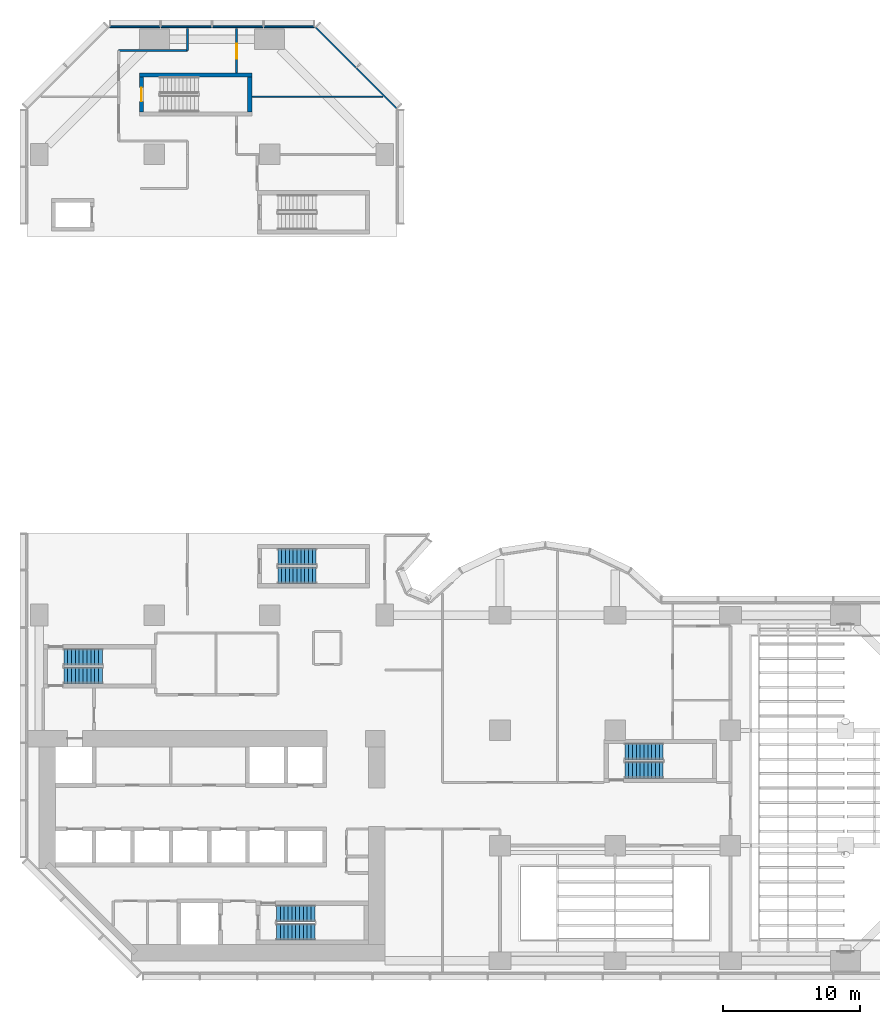
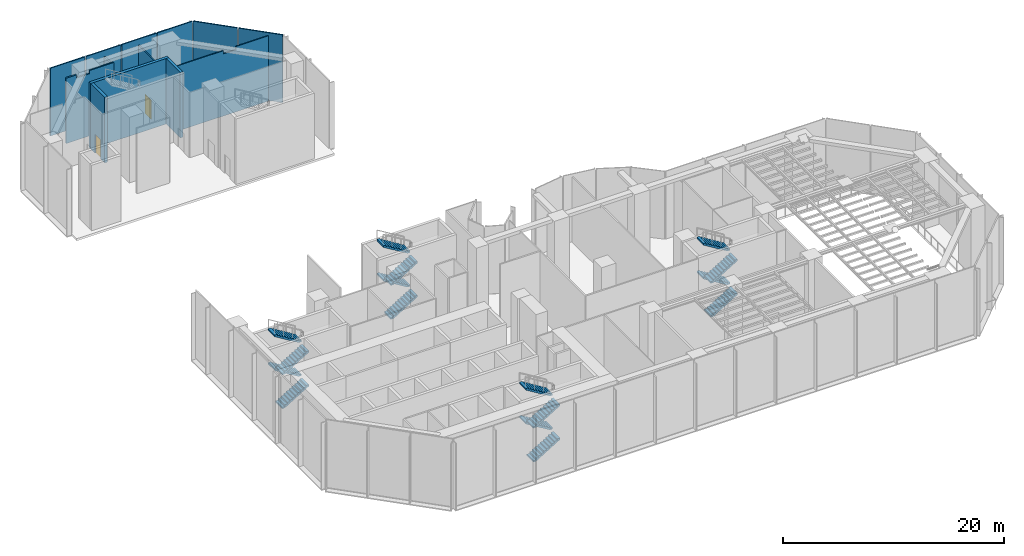
# One storey, part 17 of 22: 16 stair flights, 13 walls, 2 doors, 2 openings, 4 elements without a shape of their own.
"""IFC4 building model written with IfcOpenShell, lengths in metres."""

from ifc_helpers import new_model, si_unit, direction, frame, frame_2d, origin, place, context, subcontext, project, spatial, polyline, rectangle, outline, extrude, material, layer, layer_set, type_object, element, fill, aggregate, save


model = new_model("IFC4")

# Units and contexts
model_context = context("Model", 3, precision=1e-05, world=origin(), true_north=direction((0.0, 1.0)))
body_context = subcontext(model_context, "Body", "Model", "MODEL_VIEW")
ifc_project = project(units=[si_unit("LENGTHUNIT", "METRE"), si_unit("AREAUNIT", "SQUARE_METRE"), si_unit("VOLUMEUNIT", "CUBIC_METRE"), si_unit("PLANEANGLEUNIT", "RADIAN"), si_unit("MASSUNIT", "GRAM", prefix="KILO")], contexts=[model_context])

# Site, building, storey
site_placement = place(None, origin())
site = spatial("IfcSite", under=ifc_project, at=site_placement, CompositionType="ELEMENT")
building_placement = place(site_placement, origin())
building = spatial("IfcBuilding", under=site, at=building_placement, Name="Brevane Broadcast Tower", CompositionType="ELEMENT")
storey_placement = place(building_placement, frame((0.0, 0.0, 20.0)))
storey = spatial("IfcBuildingStorey", under=building, at=storey_placement, Name="L03", CompositionType="ELEMENT", Elevation=20.0)

# Wall
ifc_material_1 = material(Name="Concrete C80/95", Category="concrete")
ifc_layer_1 = layer(ifc_material_1, 0.300048828125)
ifc_layer_set_1 = layer_set([ifc_layer_1], Name="Core wall 300 mm C80/95")
wall_type_1 = type_object("IfcWallType", Name="Core wall 300 mm C80/95", PredefinedType="SHEAR", material=ifc_layer_set_1)
wall_1_placement = place(storey_placement, frame((7.300048828125, 64.60009765625, 0.0), z_axis=(0.0, 0.0, 1.0), x_axis=(1.0, 0.0, 0.0)))
element("IfcWall", 1, at=wall_1_placement, inside=storey, type_object=wall_type_1, Name="L03 stair wall ST-6-N", PredefinedType="SHEAR", context=body_context, shape_type="SweptSolid", body=[
    extrude(rectangle(XDim=8.199951171875, YDim=0.300048828125, at=frame_2d((4.10009765625, 0.0))), origin(), (0.0, 0.0, 1.0), 7.25),
])

# Wall, opening, door
wall_2_placement = place(storey_placement, frame((7.449951171875, 61.89990234375, 0.0), z_axis=(0.0, 0.0, 1.0), x_axis=(0.0, 1.0, 0.0)))
wall_2 = element("IfcWall", 2, at=wall_2_placement, inside=storey, type_object=wall_type_1, Name="L03 stair wall ST-6-W", PredefinedType="SHEAR", context=body_context, shape_type="SweptSolid", body=[
    extrude(rectangle(XDim=2.550048828125, YDim=0.300048828125, at=frame_2d((1.27490234375, 0.0))), origin(), (0.0, 0.0, 1.0), 7.25),
])
opening_1_placement = place(wall_2_placement, frame((0.77490234375, 0.0, 0.0)))
opening_1 = element("IfcOpeningElement", 3, at=opening_1_placement, cuts=wall_2, Name="Opening L03-K18", PredefinedType="OPENING", context=body_context, shape_type="SweptSolid", body=[
    extrude(rectangle(XDim=1.0, YDim=2.10009765625, at=frame_2d((0.5, 1.050048828125))), frame((0.0, 0.159912109375, 0.0), z_axis=(0.0, -1.0, 0.0), x_axis=(1.0, 0.0, 0.0)), (0.0, 0.0, 1.0), 0.320068359375),
])
ifc_material_2 = material(Name="Steel", Category="steel")
door_type_1 = type_object("IfcDoorType", Name="Stair door 1000 x 2100", OperationType="SINGLE_SWING_LEFT", PredefinedType="DOOR", material=ifc_material_2)
door_1_placement = place(opening_1_placement, origin())
door_1 = element("IfcDoor", 4, at=door_1_placement, inside=storey, type_object=door_type_1, Name="Door L03-K18", OperationType="SINGLE_SWING_LEFT", OverallHeight=2.10009765625, OverallWidth=1.0, PredefinedType="DOOR", context=body_context, shape_type="SweptSolid", body=[
    extrude(rectangle(XDim=1.0, YDim=2.10009765625, at=frame_2d((0.5, 1.050048828125))), frame((0.0, 0.02490234375, 0.0), z_axis=(0.0, -1.0, 0.0), x_axis=(1.0, 0.0, 0.0)), (0.0, 0.0, 1.0), 0.050048828125),
])
fill(opening_1, door_1)

# Walls
wall_3_placement = place(storey_placement, frame((15.35009765625, 61.89990234375, 0.0), z_axis=(0.0, 0.0, 1.0), x_axis=(0.0, 1.0, 0.0)))
element("IfcWall", 5, at=wall_3_placement, inside=storey, type_object=wall_type_1, Name="L03 stair wall ST-6-E", PredefinedType="SHEAR", context=body_context, shape_type="SweptSolid", body=[
    extrude(rectangle(XDim=2.550048828125, YDim=0.300048828125, at=frame_2d((1.27490234375, 0.0))), origin(), (0.0, 0.0, 1.0), 7.25),
])
ifc_material_3 = material(Name="Gypsum board partition")
ifc_layer_2 = layer(ifc_material_3, 0.10009765625)
ifc_layer_set_2 = layer_set([ifc_layer_2], Name="PARTITION 100 STUD")
wall_type_2 = type_object("IfcWallType", Name="PARTITION 100 STUD", PredefinedType="PARTITIONING", material=ifc_layer_set_2)
wall_4_placement = place(storey_placement, frame((15.5, 63.0, 0.0), z_axis=(0.0, 0.0, 1.0), x_axis=(1.0, 0.0, 0.0)))
element("IfcWall", 6, at=wall_4_placement, inside=storey, type_object=wall_type_2, Name="Partition P3-042", PredefinedType="PARTITIONING", context=body_context, shape_type="SweptSolid", body=[
    extrude(outline(polyline([(0.0, 0.0), (9.5556640625, 0.0), (9.5556640625, 7.22998046875), (6.165771484375, 7.22998046875), (6.16357421875, 6.8798828125), (4.83642578125, 6.8798828125), (4.834228515625, 7.22998046875), (0.0, 7.22998046875), (0.0, 0.0)])), frame((0.0, 0.050048828125, 0.0), z_axis=(0.0, -1.0, 0.0), x_axis=(1.0, 0.0, 0.0)), (0.0, 0.0, 1.0), 0.10009765625),
])
ifc_layer_3 = layer(ifc_material_3, 0.14990234375)
ifc_layer_set_3 = layer_set([ifc_layer_3], Name="PARTITION 150 EI 60")
wall_type_3 = type_object("IfcWallType", Name="PARTITION 150 EI 60", PredefinedType="PARTITIONING", material=ifc_layer_set_3)
wall_5_placement = place(storey_placement, frame((5.800048828125, 66.375, 0.0), z_axis=(0.0, 0.0, 1.0), x_axis=(1.0, 0.0, 0.0)))
element("IfcWall", 7, at=wall_5_placement, inside=storey, type_object=wall_type_3, Name="Partition P3-034", PredefinedType="PARTITIONING", context=body_context, shape_type="SweptSolid", body=[
    extrude(outline(polyline([(0.0, 0.0), (5.0, 0.0), (5.0, 7.22998046875), (2.465576171875, 7.22998046875), (2.463623046875, 6.8798828125), (1.08642578125, 6.8798828125), (1.084228515625, 7.22998046875), (0.0, 7.22998046875), (0.0, 0.0)])), frame((0.0, 0.074951171875, 0.0), z_axis=(0.0, -1.0, 0.0), x_axis=(1.0, 0.0, 0.0)), (0.0, 0.0, 1.0), 0.14990234375),
])
wall_6_placement = place(storey_placement, frame((10.800048828125, 66.375, 0.0), z_axis=(0.0, 0.0, 1.0), x_axis=(0.0, 1.0, 0.0)))
element("IfcWall", 8, at=wall_6_placement, inside=storey, type_object=wall_type_3, Name="Partition P3-036", PredefinedType="PARTITIONING", context=body_context, shape_type="SweptSolid", body=[
    extrude(rectangle(XDim=1.597900390625, YDim=0.14990234375, at=frame_2d((0.798828125, 0.0))), origin(), (0.0, 0.0, 1.0), 6.8798828125),
])

# Wall, opening, door
wall_7_placement = place(storey_placement, frame((14.39990234375, 67.972900390625, 0.0), z_axis=(0.0, 0.0, 1.0), x_axis=(0.0, -1.0, 0.0)))
wall_7 = element("IfcWall", 9, at=wall_7_placement, inside=storey, type_object=wall_type_3, Name="Partition P3-037", PredefinedType="PARTITIONING", context=body_context, shape_type="SweptSolid", body=[
    extrude(rectangle(XDim=3.222900390625, YDim=0.14990234375, at=frame_2d((1.611328125, 0.0))), origin(), (0.0, 0.0, 1.0), 6.8798828125),
])
opening_2_placement = place(wall_7_placement, frame((1.093017578125, 0.0, 0.0)))
opening_2 = element("IfcOpeningElement", 10, at=opening_2_placement, cuts=wall_7, Name="Opening D04-016", PredefinedType="OPENING", context=body_context, shape_type="SweptSolid", body=[
    extrude(rectangle(XDim=1.10009765625, YDim=2.10009765625, at=frame_2d((0.550048828125, 1.050048828125))), frame((0.0, 0.0849609375, 0.0), z_axis=(0.0, -1.0, 0.0), x_axis=(1.0, 0.0, 0.0)), (0.0, 0.0, 1.0), 0.169921875),
])
ifc_material_4 = material(Name="Fire-rated timber door leaf", Category="wood")
door_type_2 = type_object("IfcDoorType", Name="DOOR SINGLE 1100 FD30S", OperationType="SINGLE_SWING_LEFT", PredefinedType="DOOR", material=ifc_material_4)
door_2_placement = place(opening_2_placement, origin())
door_2 = element("IfcDoor", 11, at=door_2_placement, inside=storey, type_object=door_type_2, Name="Door D04-016", OperationType="SINGLE_SWING_LEFT", OverallHeight=2.10009765625, OverallWidth=1.10009765625, PredefinedType="DOOR", context=body_context, shape_type="SweptSolid", body=[
    extrude(rectangle(XDim=1.10009765625, YDim=2.10009765625, at=frame_2d((0.550048828125, 1.050048828125))), frame((0.0, 0.02490234375, 0.0), z_axis=(0.0, -1.0, 0.0), x_axis=(1.0, 0.0, 0.0)), (0.0, 0.0, 1.0), 0.050048828125),
])
fill(opening_2, door_2)

# Walls
ifc_material_5 = material(Name="Precast concrete C40/50", Category="concrete")
ifc_layer_4 = layer(ifc_material_5, 0.1201171875)
ifc_layer_set_4 = layer_set([ifc_layer_4], Name="Podium precast cladding wall 120 C40/50")
wall_type_4 = type_object("IfcWallType", Name="Podium precast cladding wall 120 C40/50", PredefinedType="SOLIDWALL", material=ifc_layer_set_4)
wall_8_placement = place(storey_placement, origin())
element("IfcWall", 12, at=wall_8_placement, inside=storey, type_object=wall_type_4, Name="Podium precast cladding wall", PredefinedType="SOLIDWALL", context=body_context, shape_type="SweptSolid", body=[
    extrude(outline(polyline([(26.03271484375, 62.096435546875), (23.096435546875, 65.03271484375), (23.181396484375, 65.11767578125), (26.11767578125, 62.181396484375), (26.03271484375, 62.096435546875)])), origin(), (0.0, 0.0, 1.0), 7.5),
])
wall_9_placement = place(storey_placement, origin())
element("IfcWall", 13, at=wall_9_placement, inside=storey, type_object=wall_type_4, Name="Podium precast cladding wall", PredefinedType="SOLIDWALL", context=body_context, shape_type="SweptSolid", body=[
    extrude(outline(polyline([(23.03271484375, 65.096435546875), (20.096435546875, 68.03271484375), (20.181396484375, 68.11767578125), (23.11767578125, 65.181396484375), (23.03271484375, 65.096435546875)])), origin(), (0.0, 0.0, 1.0), 7.5),
])
wall_10_placement = place(storey_placement, origin())
element("IfcWall", 14, at=wall_10_placement, inside=storey, type_object=wall_type_4, Name="Podium precast cladding wall", PredefinedType="SOLIDWALL", context=body_context, shape_type="SweptSolid", body=[
    extrude(outline(polyline([(16.39501953125, 68.169921875), (16.39501953125, 68.050048828125), (20.054931640625, 68.050048828125), (20.054931640625, 68.169921875), (16.39501953125, 68.169921875)])), origin(), (0.0, 0.0, 1.0), 7.5),
])
wall_11_placement = place(storey_placement, origin())
element("IfcWall", 15, at=wall_11_placement, inside=storey, type_object=wall_type_4, Name="Podium precast cladding wall", PredefinedType="SOLIDWALL", context=body_context, shape_type="SweptSolid", body=[
    extrude(outline(polyline([(12.64501953125, 68.169921875), (12.64501953125, 68.050048828125), (16.304931640625, 68.050048828125), (16.304931640625, 68.169921875), (12.64501953125, 68.169921875)])), origin(), (0.0, 0.0, 1.0), 7.5),
])
wall_12_placement = place(storey_placement, origin())
element("IfcWall", 16, at=wall_12_placement, inside=storey, type_object=wall_type_4, Name="Podium precast cladding wall", PredefinedType="SOLIDWALL", context=body_context, shape_type="SweptSolid", body=[
    extrude(outline(polyline([(8.89501953125, 68.169921875), (8.89501953125, 68.050048828125), (12.554931640625, 68.050048828125), (12.554931640625, 68.169921875), (8.89501953125, 68.169921875)])), origin(), (0.0, 0.0, 1.0), 7.5),
])
wall_13_placement = place(storey_placement, origin())
element("IfcWall", 17, at=wall_13_placement, inside=storey, type_object=wall_type_4, Name="Podium precast cladding wall", PredefinedType="SOLIDWALL", context=body_context, shape_type="SweptSolid", body=[
    extrude(outline(polyline([(5.14501953125, 68.169921875), (5.14501953125, 68.050048828125), (8.804931640625, 68.050048828125), (8.804931640625, 68.169921875), (5.14501953125, 68.169921875)])), origin(), (0.0, 0.0, 1.0), 7.5),
])

# Stair, stair flights
ifc_material_6 = material(Name="Concrete C50/60", Category="concrete")
stair_type = type_object("IfcStairType", Name="Exit stair 44 risers", PredefinedType="HALF_TURN_STAIR", material=ifc_material_6)
stair_1_placement = place(storey_placement, origin())
stair_1 = element("IfcStair", 18, at=stair_1_placement, inside=storey, type_object=stair_type, Name="L03 Exit stair ST-1", PredefinedType="HALF_TURN_STAIR")
stair_flight_type = type_object("IfcStairFlightType", Name="Exit stair flight 44 risers", PredefinedType="STRAIGHT", material=ifc_material_6)
stair_flight_1_placement = place(storey_placement, frame((1.800048828125, 20.800048828125, 0.0), z_axis=(0.0, 0.0, 1.0), x_axis=(1.0, 0.0, 0.0)))
stair_flight_1 = element("IfcStairFlight", 19, at=stair_flight_1_placement, type_object=stair_flight_type, Name="ST-1 flight 1", NumberOfRisers=11, NumberOfTreads=10, PredefinedType="STRAIGHT", RiserHeight=0.170454545, TreadLength=0.28, context=body_context, shape_type="SweptSolid", body=[
    extrude(outline(polyline([(0.0, 0.0), (0.0, 0.17041015625), (0.280029296875, 0.17041015625), (0.280029296875, 0.3408203125), (0.56005859375, 0.3408203125), (0.56005859375, 0.511474609375), (0.840087890625, 0.511474609375), (0.840087890625, 0.681884765625), (1.1201171875, 0.681884765625), (1.1201171875, 0.852294921875), (1.39990234375, 0.852294921875), (1.39990234375, 1.022705078125), (1.679931640625, 1.022705078125), (1.679931640625, 1.193115234375), (1.9599609375, 1.193115234375), (1.9599609375, 1.363525390625), (2.239990234375, 1.363525390625), (2.239990234375, 1.5341796875), (2.52001953125, 1.5341796875), (2.52001953125, 1.70458984375), (2.800048828125, 1.70458984375), (2.800048828125, 1.875), (2.800048828125, 1.529052734375), (0.288330078125, 0.0), (0.0, 0.0)])), frame((0.0, 0.60009765625, 0.0), z_axis=(0.0, -1.0, 0.0), x_axis=(1.0, 0.0, 0.0)), (0.0, 0.0, 1.0), 1.199951171875),
])
stair_flight_2_placement = place(storey_placement, frame((4.60009765625, 22.14990234375, 1.875), z_axis=(0.0, 0.0, 1.0), x_axis=(-1.0, 0.0, 0.0)))
stair_flight_2 = element("IfcStairFlight", 20, at=stair_flight_2_placement, type_object=stair_flight_type, Name="ST-1 flight 2", NumberOfRisers=11, NumberOfTreads=10, PredefinedType="STRAIGHT", RiserHeight=0.170454545, TreadLength=0.28, context=body_context, shape_type="SweptSolid", body=[
    extrude(outline(polyline([(0.0, 0.0), (0.0, 0.17041015625), (0.280029296875, 0.17041015625), (0.280029296875, 0.3408203125), (0.56005859375, 0.3408203125), (0.56005859375, 0.511474609375), (0.840087890625, 0.511474609375), (0.840087890625, 0.681884765625), (1.1201171875, 0.681884765625), (1.1201171875, 0.852294921875), (1.39990234375, 0.852294921875), (1.39990234375, 1.022705078125), (1.679931640625, 1.022705078125), (1.679931640625, 1.193115234375), (1.9599609375, 1.193115234375), (1.9599609375, 1.363525390625), (2.239990234375, 1.363525390625), (2.239990234375, 1.5341796875), (2.52001953125, 1.5341796875), (2.52001953125, 1.70458984375), (2.800048828125, 1.70458984375), (2.800048828125, 1.875), (2.800048828125, 1.529052734375), (0.288330078125, 0.0), (0.0, 0.0)])), frame((0.0, 0.60009765625, 0.0), z_axis=(0.0, -1.0, 0.0), x_axis=(1.0, 0.0, 0.0)), (0.0, 0.0, 1.0), 1.199951171875),
])
stair_flight_3_placement = place(storey_placement, frame((1.800048828125, 20.800048828125, 3.75), z_axis=(0.0, 0.0, 1.0), x_axis=(1.0, 0.0, 0.0)))
stair_flight_3 = element("IfcStairFlight", 21, at=stair_flight_3_placement, type_object=stair_flight_type, Name="ST-1 flight 3", NumberOfRisers=11, NumberOfTreads=10, PredefinedType="STRAIGHT", RiserHeight=0.170454545, TreadLength=0.28, context=body_context, shape_type="SweptSolid", body=[
    extrude(outline(polyline([(0.0, 0.0), (0.0, 0.17041015625), (0.280029296875, 0.17041015625), (0.280029296875, 0.3408203125), (0.56005859375, 0.3408203125), (0.56005859375, 0.511474609375), (0.840087890625, 0.511474609375), (0.840087890625, 0.681884765625), (1.1201171875, 0.681884765625), (1.1201171875, 0.852294921875), (1.39990234375, 0.852294921875), (1.39990234375, 1.022705078125), (1.679931640625, 1.022705078125), (1.679931640625, 1.193115234375), (1.9599609375, 1.193115234375), (1.9599609375, 1.363525390625), (2.239990234375, 1.363525390625), (2.239990234375, 1.5341796875), (2.52001953125, 1.5341796875), (2.52001953125, 1.70458984375), (2.800048828125, 1.70458984375), (2.800048828125, 1.875), (2.800048828125, 1.529052734375), (0.288330078125, 0.0), (0.0, 0.0)])), frame((0.0, 0.60009765625, 0.0), z_axis=(0.0, -1.0, 0.0), x_axis=(1.0, 0.0, 0.0)), (0.0, 0.0, 1.0), 1.199951171875),
])
stair_flight_4_placement = place(storey_placement, frame((4.60009765625, 22.14990234375, 5.625), z_axis=(0.0, 0.0, 1.0), x_axis=(-1.0, 0.0, 0.0)))
stair_flight_4 = element("IfcStairFlight", 22, at=stair_flight_4_placement, type_object=stair_flight_type, Name="ST-1 flight 4", NumberOfRisers=11, NumberOfTreads=10, PredefinedType="STRAIGHT", RiserHeight=0.170454545, TreadLength=0.28, context=body_context, shape_type="SweptSolid", body=[
    extrude(outline(polyline([(0.0, 0.0), (0.0, 0.17041015625), (0.280029296875, 0.17041015625), (0.280029296875, 0.3408203125), (0.56005859375, 0.3408203125), (0.56005859375, 0.511474609375), (0.840087890625, 0.511474609375), (0.840087890625, 0.681884765625), (1.1201171875, 0.681884765625), (1.1201171875, 0.852294921875), (1.39990234375, 0.852294921875), (1.39990234375, 1.022705078125), (1.679931640625, 1.022705078125), (1.679931640625, 1.193115234375), (1.9599609375, 1.193115234375), (1.9599609375, 1.363525390625), (2.239990234375, 1.363525390625), (2.239990234375, 1.5341796875), (2.52001953125, 1.5341796875), (2.52001953125, 1.70458984375), (2.800048828125, 1.70458984375), (2.800048828125, 1.875), (2.800048828125, 1.529052734375), (0.288330078125, 0.0), (0.0, 0.0)])), frame((0.0, 0.60009765625, 0.0), z_axis=(0.0, -1.0, 0.0), x_axis=(1.0, 0.0, 0.0)), (0.0, 0.0, 1.0), 1.199951171875),
])
aggregate(stair_1, [stair_flight_1, stair_flight_2, stair_flight_3, stair_flight_4])

stair_2_placement = place(storey_placement, origin())
stair_2 = element("IfcStair", 23, at=stair_2_placement, inside=storey, type_object=stair_type, Name="L03 Exit stair ST-2", PredefinedType="HALF_TURN_STAIR")
stair_flight_5_placement = place(storey_placement, frame((17.300048828125, 2.10009765625, 0.0), z_axis=(0.0, 0.0, 1.0), x_axis=(1.0, 0.0, 0.0)))
stair_flight_5 = element("IfcStairFlight", 24, at=stair_flight_5_placement, type_object=stair_flight_type, Name="ST-2 flight 1", NumberOfRisers=11, NumberOfTreads=10, PredefinedType="STRAIGHT", RiserHeight=0.170454545, TreadLength=0.28, context=body_context, shape_type="SweptSolid", body=[
    extrude(outline(polyline([(0.0, 0.0), (0.0, 0.17041015625), (0.280029296875, 0.17041015625), (0.280029296875, 0.3408203125), (0.56005859375, 0.3408203125), (0.56005859375, 0.511474609375), (0.840087890625, 0.511474609375), (0.840087890625, 0.681884765625), (1.1201171875, 0.681884765625), (1.1201171875, 0.852294921875), (1.39990234375, 0.852294921875), (1.39990234375, 1.022705078125), (1.679931640625, 1.022705078125), (1.679931640625, 1.193115234375), (1.9599609375, 1.193115234375), (1.9599609375, 1.363525390625), (2.239990234375, 1.363525390625), (2.239990234375, 1.5341796875), (2.52001953125, 1.5341796875), (2.52001953125, 1.70458984375), (2.800048828125, 1.70458984375), (2.800048828125, 1.875), (2.800048828125, 1.529052734375), (0.288330078125, 0.0), (0.0, 0.0)])), frame((0.0, 0.60009765625, 0.0), z_axis=(0.0, -1.0, 0.0), x_axis=(1.0, 0.0, 0.0)), (0.0, 0.0, 1.0), 1.199951171875),
])
stair_flight_6_placement = place(storey_placement, frame((20.10009765625, 3.449951171875, 1.875), z_axis=(0.0, 0.0, 1.0), x_axis=(-1.0, 0.0, 0.0)))
stair_flight_6 = element("IfcStairFlight", 25, at=stair_flight_6_placement, type_object=stair_flight_type, Name="ST-2 flight 2", NumberOfRisers=11, NumberOfTreads=10, PredefinedType="STRAIGHT", RiserHeight=0.170454545, TreadLength=0.28, context=body_context, shape_type="SweptSolid", body=[
    extrude(outline(polyline([(0.0, 0.0), (0.0, 0.17041015625), (0.280029296875, 0.17041015625), (0.280029296875, 0.3408203125), (0.56005859375, 0.3408203125), (0.56005859375, 0.511474609375), (0.840087890625, 0.511474609375), (0.840087890625, 0.681884765625), (1.1201171875, 0.681884765625), (1.1201171875, 0.852294921875), (1.39990234375, 0.852294921875), (1.39990234375, 1.022705078125), (1.679931640625, 1.022705078125), (1.679931640625, 1.193115234375), (1.9599609375, 1.193115234375), (1.9599609375, 1.363525390625), (2.239990234375, 1.363525390625), (2.239990234375, 1.5341796875), (2.52001953125, 1.5341796875), (2.52001953125, 1.70458984375), (2.800048828125, 1.70458984375), (2.800048828125, 1.875), (2.800048828125, 1.529052734375), (0.288330078125, 0.0), (0.0, 0.0)])), frame((0.0, 0.60009765625, 0.0), z_axis=(0.0, -1.0, 0.0), x_axis=(1.0, 0.0, 0.0)), (0.0, 0.0, 1.0), 1.199951171875),
])
stair_flight_7_placement = place(storey_placement, frame((17.300048828125, 2.10009765625, 3.75), z_axis=(0.0, 0.0, 1.0), x_axis=(1.0, 0.0, 0.0)))
stair_flight_7 = element("IfcStairFlight", 26, at=stair_flight_7_placement, type_object=stair_flight_type, Name="ST-2 flight 3", NumberOfRisers=11, NumberOfTreads=10, PredefinedType="STRAIGHT", RiserHeight=0.170454545, TreadLength=0.28, context=body_context, shape_type="SweptSolid", body=[
    extrude(outline(polyline([(0.0, 0.0), (0.0, 0.17041015625), (0.280029296875, 0.17041015625), (0.280029296875, 0.3408203125), (0.56005859375, 0.3408203125), (0.56005859375, 0.511474609375), (0.840087890625, 0.511474609375), (0.840087890625, 0.681884765625), (1.1201171875, 0.681884765625), (1.1201171875, 0.852294921875), (1.39990234375, 0.852294921875), (1.39990234375, 1.022705078125), (1.679931640625, 1.022705078125), (1.679931640625, 1.193115234375), (1.9599609375, 1.193115234375), (1.9599609375, 1.363525390625), (2.239990234375, 1.363525390625), (2.239990234375, 1.5341796875), (2.52001953125, 1.5341796875), (2.52001953125, 1.70458984375), (2.800048828125, 1.70458984375), (2.800048828125, 1.875), (2.800048828125, 1.529052734375), (0.288330078125, 0.0), (0.0, 0.0)])), frame((0.0, 0.60009765625, 0.0), z_axis=(0.0, -1.0, 0.0), x_axis=(1.0, 0.0, 0.0)), (0.0, 0.0, 1.0), 1.199951171875),
])
stair_flight_8_placement = place(storey_placement, frame((20.10009765625, 3.449951171875, 5.625), z_axis=(0.0, 0.0, 1.0), x_axis=(-1.0, 0.0, 0.0)))
stair_flight_8 = element("IfcStairFlight", 27, at=stair_flight_8_placement, type_object=stair_flight_type, Name="ST-2 flight 4", NumberOfRisers=11, NumberOfTreads=10, PredefinedType="STRAIGHT", RiserHeight=0.170454545, TreadLength=0.28, context=body_context, shape_type="SweptSolid", body=[
    extrude(outline(polyline([(0.0, 0.0), (0.0, 0.17041015625), (0.280029296875, 0.17041015625), (0.280029296875, 0.3408203125), (0.56005859375, 0.3408203125), (0.56005859375, 0.511474609375), (0.840087890625, 0.511474609375), (0.840087890625, 0.681884765625), (1.1201171875, 0.681884765625), (1.1201171875, 0.852294921875), (1.39990234375, 0.852294921875), (1.39990234375, 1.022705078125), (1.679931640625, 1.022705078125), (1.679931640625, 1.193115234375), (1.9599609375, 1.193115234375), (1.9599609375, 1.363525390625), (2.239990234375, 1.363525390625), (2.239990234375, 1.5341796875), (2.52001953125, 1.5341796875), (2.52001953125, 1.70458984375), (2.800048828125, 1.70458984375), (2.800048828125, 1.875), (2.800048828125, 1.529052734375), (0.288330078125, 0.0), (0.0, 0.0)])), frame((0.0, 0.60009765625, 0.0), z_axis=(0.0, -1.0, 0.0), x_axis=(1.0, 0.0, 0.0)), (0.0, 0.0, 1.0), 1.199951171875),
])
aggregate(stair_2, [stair_flight_5, stair_flight_6, stair_flight_7, stair_flight_8])

stair_3_placement = place(storey_placement, origin())
stair_3 = element("IfcStair", 28, at=stair_3_placement, inside=storey, type_object=stair_type, Name="L03 Exit stair ST-3", PredefinedType="HALF_TURN_STAIR")
stair_flight_9_placement = place(storey_placement, frame((17.39990234375, 28.10009765625, 0.0), z_axis=(0.0, 0.0, 1.0), x_axis=(1.0, 0.0, 0.0)))
stair_flight_9 = element("IfcStairFlight", 29, at=stair_flight_9_placement, type_object=stair_flight_type, Name="ST-3 flight 1", NumberOfRisers=11, NumberOfTreads=10, PredefinedType="STRAIGHT", RiserHeight=0.170454545, TreadLength=0.28, context=body_context, shape_type="SweptSolid", body=[
    extrude(outline(polyline([(0.0, 0.0), (0.0, 0.17041015625), (0.280029296875, 0.17041015625), (0.280029296875, 0.3408203125), (0.56005859375, 0.3408203125), (0.56005859375, 0.511474609375), (0.840087890625, 0.511474609375), (0.840087890625, 0.681884765625), (1.1201171875, 0.681884765625), (1.1201171875, 0.852294921875), (1.39990234375, 0.852294921875), (1.39990234375, 1.022705078125), (1.679931640625, 1.022705078125), (1.679931640625, 1.193115234375), (1.9599609375, 1.193115234375), (1.9599609375, 1.363525390625), (2.239990234375, 1.363525390625), (2.239990234375, 1.5341796875), (2.52001953125, 1.5341796875), (2.52001953125, 1.70458984375), (2.800048828125, 1.70458984375), (2.800048828125, 1.875), (2.800048828125, 1.529052734375), (0.288330078125, 0.0), (0.0, 0.0)])), frame((0.0, 0.60009765625, 0.0), z_axis=(0.0, -1.0, 0.0), x_axis=(1.0, 0.0, 0.0)), (0.0, 0.0, 1.0), 1.199951171875),
])
stair_flight_10_placement = place(storey_placement, frame((20.199951171875, 29.449951171875, 1.875), z_axis=(0.0, 0.0, 1.0), x_axis=(-1.0, 0.0, 0.0)))
stair_flight_10 = element("IfcStairFlight", 30, at=stair_flight_10_placement, type_object=stair_flight_type, Name="ST-3 flight 2", NumberOfRisers=11, NumberOfTreads=10, PredefinedType="STRAIGHT", RiserHeight=0.170454545, TreadLength=0.28, context=body_context, shape_type="SweptSolid", body=[
    extrude(outline(polyline([(0.0, 0.0), (0.0, 0.17041015625), (0.280029296875, 0.17041015625), (0.280029296875, 0.3408203125), (0.56005859375, 0.3408203125), (0.56005859375, 0.511474609375), (0.840087890625, 0.511474609375), (0.840087890625, 0.681884765625), (1.1201171875, 0.681884765625), (1.1201171875, 0.852294921875), (1.39990234375, 0.852294921875), (1.39990234375, 1.022705078125), (1.679931640625, 1.022705078125), (1.679931640625, 1.193115234375), (1.9599609375, 1.193115234375), (1.9599609375, 1.363525390625), (2.239990234375, 1.363525390625), (2.239990234375, 1.5341796875), (2.52001953125, 1.5341796875), (2.52001953125, 1.70458984375), (2.800048828125, 1.70458984375), (2.800048828125, 1.875), (2.800048828125, 1.529052734375), (0.288330078125, 0.0), (0.0, 0.0)])), frame((0.0, 0.60009765625, 0.0), z_axis=(0.0, -1.0, 0.0), x_axis=(1.0, 0.0, 0.0)), (0.0, 0.0, 1.0), 1.199951171875),
])
stair_flight_11_placement = place(storey_placement, frame((17.39990234375, 28.10009765625, 3.75), z_axis=(0.0, 0.0, 1.0), x_axis=(1.0, 0.0, 0.0)))
stair_flight_11 = element("IfcStairFlight", 31, at=stair_flight_11_placement, type_object=stair_flight_type, Name="ST-3 flight 3", NumberOfRisers=11, NumberOfTreads=10, PredefinedType="STRAIGHT", RiserHeight=0.170454545, TreadLength=0.28, context=body_context, shape_type="SweptSolid", body=[
    extrude(outline(polyline([(0.0, 0.0), (0.0, 0.17041015625), (0.280029296875, 0.17041015625), (0.280029296875, 0.3408203125), (0.56005859375, 0.3408203125), (0.56005859375, 0.511474609375), (0.840087890625, 0.511474609375), (0.840087890625, 0.681884765625), (1.1201171875, 0.681884765625), (1.1201171875, 0.852294921875), (1.39990234375, 0.852294921875), (1.39990234375, 1.022705078125), (1.679931640625, 1.022705078125), (1.679931640625, 1.193115234375), (1.9599609375, 1.193115234375), (1.9599609375, 1.363525390625), (2.239990234375, 1.363525390625), (2.239990234375, 1.5341796875), (2.52001953125, 1.5341796875), (2.52001953125, 1.70458984375), (2.800048828125, 1.70458984375), (2.800048828125, 1.875), (2.800048828125, 1.529052734375), (0.288330078125, 0.0), (0.0, 0.0)])), frame((0.0, 0.60009765625, 0.0), z_axis=(0.0, -1.0, 0.0), x_axis=(1.0, 0.0, 0.0)), (0.0, 0.0, 1.0), 1.199951171875),
])
stair_flight_12_placement = place(storey_placement, frame((20.199951171875, 29.449951171875, 5.625), z_axis=(0.0, 0.0, 1.0), x_axis=(-1.0, 0.0, 0.0)))
stair_flight_12 = element("IfcStairFlight", 32, at=stair_flight_12_placement, type_object=stair_flight_type, Name="ST-3 flight 4", NumberOfRisers=11, NumberOfTreads=10, PredefinedType="STRAIGHT", RiserHeight=0.170454545, TreadLength=0.28, context=body_context, shape_type="SweptSolid", body=[
    extrude(outline(polyline([(0.0, 0.0), (0.0, 0.17041015625), (0.280029296875, 0.17041015625), (0.280029296875, 0.3408203125), (0.56005859375, 0.3408203125), (0.56005859375, 0.511474609375), (0.840087890625, 0.511474609375), (0.840087890625, 0.681884765625), (1.1201171875, 0.681884765625), (1.1201171875, 0.852294921875), (1.39990234375, 0.852294921875), (1.39990234375, 1.022705078125), (1.679931640625, 1.022705078125), (1.679931640625, 1.193115234375), (1.9599609375, 1.193115234375), (1.9599609375, 1.363525390625), (2.239990234375, 1.363525390625), (2.239990234375, 1.5341796875), (2.52001953125, 1.5341796875), (2.52001953125, 1.70458984375), (2.800048828125, 1.70458984375), (2.800048828125, 1.875), (2.800048828125, 1.529052734375), (0.288330078125, 0.0), (0.0, 0.0)])), frame((0.0, 0.60009765625, 0.0), z_axis=(0.0, -1.0, 0.0), x_axis=(1.0, 0.0, 0.0)), (0.0, 0.0, 1.0), 1.199951171875),
])
aggregate(stair_3, [stair_flight_9, stair_flight_10, stair_flight_11, stair_flight_12])

stair_4_placement = place(storey_placement, origin())
stair_4 = element("IfcStair", 33, at=stair_4_placement, inside=storey, type_object=stair_type, Name="L03 Exit stair ST-4", PredefinedType="HALF_TURN_STAIR")
stair_flight_13_placement = place(storey_placement, frame((42.699951171875, 13.89990234375, 0.0), z_axis=(0.0, 0.0, 1.0), x_axis=(1.0, 0.0, 0.0)))
stair_flight_13 = element("IfcStairFlight", 34, at=stair_flight_13_placement, type_object=stair_flight_type, Name="ST-4 flight 1", NumberOfRisers=11, NumberOfTreads=10, PredefinedType="STRAIGHT", RiserHeight=0.170454545, TreadLength=0.28, context=body_context, shape_type="SweptSolid", body=[
    extrude(outline(polyline([(0.0, 0.0), (0.0, 0.17041015625), (0.280029296875, 0.17041015625), (0.280029296875, 0.3408203125), (0.56005859375, 0.3408203125), (0.56005859375, 0.511474609375), (0.840087890625, 0.511474609375), (0.840087890625, 0.681884765625), (1.1201171875, 0.681884765625), (1.1201171875, 0.852294921875), (1.39990234375, 0.852294921875), (1.39990234375, 1.022705078125), (1.679931640625, 1.022705078125), (1.679931640625, 1.193115234375), (1.9599609375, 1.193115234375), (1.9599609375, 1.363525390625), (2.239990234375, 1.363525390625), (2.239990234375, 1.5341796875), (2.52001953125, 1.5341796875), (2.52001953125, 1.70458984375), (2.800048828125, 1.70458984375), (2.800048828125, 1.875), (2.800048828125, 1.529052734375), (0.288330078125, 0.0), (0.0, 0.0)])), frame((0.0, 0.60009765625, 0.0), z_axis=(0.0, -1.0, 0.0), x_axis=(1.0, 0.0, 0.0)), (0.0, 0.0, 1.0), 1.199951171875),
])
stair_flight_14_placement = place(storey_placement, frame((45.5, 15.25, 1.875), z_axis=(0.0, 0.0, 1.0), x_axis=(-1.0, 0.0, 0.0)))
stair_flight_14 = element("IfcStairFlight", 35, at=stair_flight_14_placement, type_object=stair_flight_type, Name="ST-4 flight 2", NumberOfRisers=11, NumberOfTreads=10, PredefinedType="STRAIGHT", RiserHeight=0.170454545, TreadLength=0.28, context=body_context, shape_type="SweptSolid", body=[
    extrude(outline(polyline([(0.0, 0.0), (0.0, 0.17041015625), (0.280029296875, 0.17041015625), (0.280029296875, 0.3408203125), (0.56005859375, 0.3408203125), (0.56005859375, 0.511474609375), (0.840087890625, 0.511474609375), (0.840087890625, 0.681884765625), (1.1201171875, 0.681884765625), (1.1201171875, 0.852294921875), (1.39990234375, 0.852294921875), (1.39990234375, 1.022705078125), (1.679931640625, 1.022705078125), (1.679931640625, 1.193115234375), (1.9599609375, 1.193115234375), (1.9599609375, 1.363525390625), (2.239990234375, 1.363525390625), (2.239990234375, 1.5341796875), (2.52001953125, 1.5341796875), (2.52001953125, 1.70458984375), (2.800048828125, 1.70458984375), (2.800048828125, 1.875), (2.800048828125, 1.529052734375), (0.288330078125, 0.0), (0.0, 0.0)])), frame((0.0, 0.60009765625, 0.0), z_axis=(0.0, -1.0, 0.0), x_axis=(1.0, 0.0, 0.0)), (0.0, 0.0, 1.0), 1.199951171875),
])
stair_flight_15_placement = place(storey_placement, frame((42.699951171875, 13.89990234375, 3.75), z_axis=(0.0, 0.0, 1.0), x_axis=(1.0, 0.0, 0.0)))
stair_flight_15 = element("IfcStairFlight", 36, at=stair_flight_15_placement, type_object=stair_flight_type, Name="ST-4 flight 3", NumberOfRisers=11, NumberOfTreads=10, PredefinedType="STRAIGHT", RiserHeight=0.170454545, TreadLength=0.28, context=body_context, shape_type="SweptSolid", body=[
    extrude(outline(polyline([(0.0, 0.0), (0.0, 0.17041015625), (0.280029296875, 0.17041015625), (0.280029296875, 0.3408203125), (0.56005859375, 0.3408203125), (0.56005859375, 0.511474609375), (0.840087890625, 0.511474609375), (0.840087890625, 0.681884765625), (1.1201171875, 0.681884765625), (1.1201171875, 0.852294921875), (1.39990234375, 0.852294921875), (1.39990234375, 1.022705078125), (1.679931640625, 1.022705078125), (1.679931640625, 1.193115234375), (1.9599609375, 1.193115234375), (1.9599609375, 1.363525390625), (2.239990234375, 1.363525390625), (2.239990234375, 1.5341796875), (2.52001953125, 1.5341796875), (2.52001953125, 1.70458984375), (2.800048828125, 1.70458984375), (2.800048828125, 1.875), (2.800048828125, 1.529052734375), (0.288330078125, 0.0), (0.0, 0.0)])), frame((0.0, 0.60009765625, 0.0), z_axis=(0.0, -1.0, 0.0), x_axis=(1.0, 0.0, 0.0)), (0.0, 0.0, 1.0), 1.199951171875),
])
stair_flight_16_placement = place(storey_placement, frame((45.5, 15.25, 5.625), z_axis=(0.0, 0.0, 1.0), x_axis=(-1.0, 0.0, 0.0)))
stair_flight_16 = element("IfcStairFlight", 37, at=stair_flight_16_placement, type_object=stair_flight_type, Name="ST-4 flight 4", NumberOfRisers=11, NumberOfTreads=10, PredefinedType="STRAIGHT", RiserHeight=0.170454545, TreadLength=0.28, context=body_context, shape_type="SweptSolid", body=[
    extrude(outline(polyline([(0.0, 0.0), (0.0, 0.17041015625), (0.280029296875, 0.17041015625), (0.280029296875, 0.3408203125), (0.56005859375, 0.3408203125), (0.56005859375, 0.511474609375), (0.840087890625, 0.511474609375), (0.840087890625, 0.681884765625), (1.1201171875, 0.681884765625), (1.1201171875, 0.852294921875), (1.39990234375, 0.852294921875), (1.39990234375, 1.022705078125), (1.679931640625, 1.022705078125), (1.679931640625, 1.193115234375), (1.9599609375, 1.193115234375), (1.9599609375, 1.363525390625), (2.239990234375, 1.363525390625), (2.239990234375, 1.5341796875), (2.52001953125, 1.5341796875), (2.52001953125, 1.70458984375), (2.800048828125, 1.70458984375), (2.800048828125, 1.875), (2.800048828125, 1.529052734375), (0.288330078125, 0.0), (0.0, 0.0)])), frame((0.0, 0.60009765625, 0.0), z_axis=(0.0, -1.0, 0.0), x_axis=(1.0, 0.0, 0.0)), (0.0, 0.0, 1.0), 1.199951171875),
])
aggregate(stair_4, [stair_flight_13, stair_flight_14, stair_flight_15, stair_flight_16])

save(model, "model.ifc")
